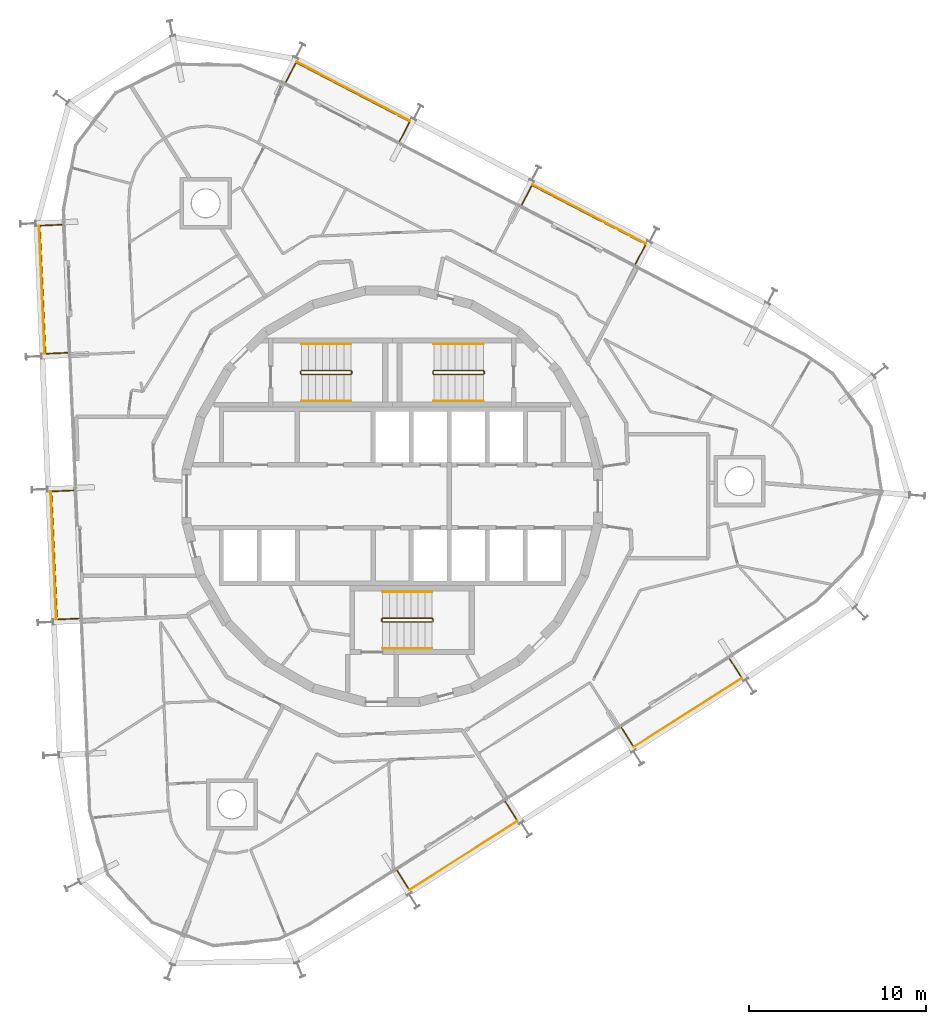
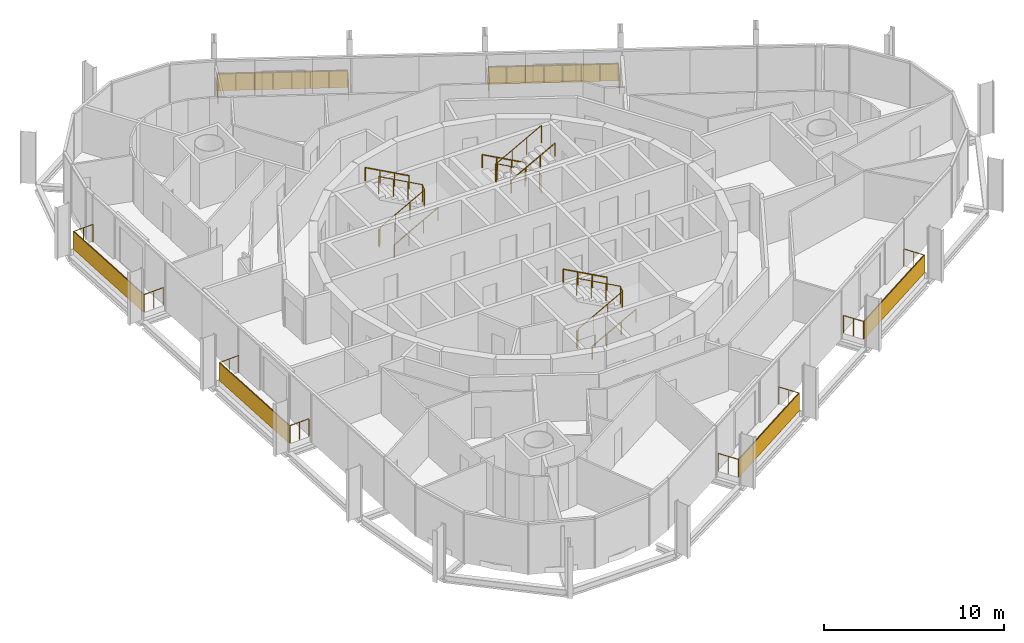
# One storey, part 18 of 18: 15 railings, 6 shading devices.
"""IFC4 building model written with IfcOpenShell, lengths in metres."""

from ifc_helpers import new_model, si_unit, direction, frame, origin, origin_2d, place, context, subcontext, project, spatial, rectangle, circle, extrude, material, layer, layer_set, type_object, element, save


model = new_model("IFC4")

# Units and contexts
model_context = context("Model", 3, precision=1e-05, world=origin(), true_north=direction((0.0, 1.0)))
body_context = subcontext(model_context, "Body", "Model", "MODEL_VIEW")
ifc_project = project(units=[si_unit("LENGTHUNIT", "METRE"), si_unit("AREAUNIT", "SQUARE_METRE"), si_unit("VOLUMEUNIT", "CUBIC_METRE"), si_unit("PLANEANGLEUNIT", "RADIAN"), si_unit("MASSUNIT", "GRAM", prefix="KILO")], contexts=[model_context])

# Site, building, storey
site_placement = place(None, origin())
site = spatial("IfcSite", under=ifc_project, at=site_placement, CompositionType="ELEMENT")
building_placement = place(site_placement, origin())
building = spatial("IfcBuilding", under=site, at=building_placement, Name="Spindle Arch Residences", CompositionType="ELEMENT")
storey_placement = place(building_placement, frame((0.0, 0.0, 233.699951171875)))
storey = spatial("IfcBuildingStorey", under=building, at=storey_placement, Name="L59", CompositionType="ELEMENT", Elevation=233.699951171875)

# Railings
ifc_material_1 = material(Name="Bronze anodised aluminium guard with glass infill", Category="aluminium")
railing_type_1 = type_object("IfcRailingType", Name="Balcony guard 1200", PredefinedType="GUARDRAIL", material=ifc_material_1)
railing_1_placement = place(storey_placement, frame((12.9736328125, -13.106201171875, 0.0)))
element("IfcRailing", 1, at=railing_1_placement, inside=storey, type_object=railing_type_1, Name="Guard L59 bay 1", PredefinedType="GUARDRAIL", context=body_context, shape_type="SweptSolid", body=[
    extrude(circle(Radius=0.02392578125, at=origin_2d()), frame((0.0, 0.0, 1.17578125), z_axis=(0.537317754526, -0.843379885148, 0.0), x_axis=(0.843379885148, 0.537317754526, 0.0)), (0.0, 0.0, 1.0), 1.25),
    extrude(circle(Radius=0.02392578125, at=origin_2d()), frame((0.671630859375, -1.05419921875, 1.17578125), z_axis=(0.843396919493, 0.537291016294, 0.0), x_axis=(-0.537291016294, 0.843396919493, 0.0)), (0.0, 0.0, 1.0), 7.26025390625),
    extrude(circle(Radius=0.02392578125, at=origin_2d()), frame((6.794921875, 2.8466796875, 1.17578125), z_axis=(-0.537317754526, 0.843379885148, 0.0), x_axis=(-0.843379885148, -0.537317754526, 0.0)), (0.0, 0.0, 1.0), 1.25),
    extrude(circle(Radius=0.02099609375, at=origin_2d()), origin(), (0.0, 0.0, 1.0), 1.15185546875),
    extrude(circle(Radius=0.02099609375, at=origin_2d()), frame((0.3359375, -0.527099609375, 0.0)), (0.0, 0.0, 1.0), 1.15185546875),
    extrude(circle(Radius=0.02099609375, at=origin_2d()), frame((0.671630859375, -1.05419921875, 0.0)), (0.0, 0.0, 1.0), 1.15185546875),
    extrude(circle(Radius=0.02099609375, at=origin_2d()), frame((1.54638671875, -0.496826171875, 0.0)), (0.0, 0.0, 1.0), 1.15185546875),
    extrude(circle(Radius=0.02099609375, at=origin_2d()), frame((2.421142578125, 0.060302734375, 0.0)), (0.0, 0.0, 1.0), 1.15185546875),
    extrude(circle(Radius=0.02099609375, at=origin_2d()), frame((3.2958984375, 0.61767578125, 0.0)), (0.0, 0.0, 1.0), 1.15185546875),
    extrude(circle(Radius=0.02099609375, at=origin_2d()), frame((4.170654296875, 1.1748046875, 0.0)), (0.0, 0.0, 1.0), 1.15185546875),
    extrude(circle(Radius=0.02099609375, at=origin_2d()), frame((5.04541015625, 1.732177734375, 0.0)), (0.0, 0.0, 1.0), 1.15185546875),
    extrude(circle(Radius=0.02099609375, at=origin_2d()), frame((5.920166015625, 2.289306640625, 0.0)), (0.0, 0.0, 1.0), 1.15185546875),
    extrude(circle(Radius=0.02099609375, at=origin_2d()), frame((6.794921875, 2.8466796875, 0.0)), (0.0, 0.0, 1.0), 1.15185546875),
    extrude(circle(Radius=0.02099609375, at=origin_2d()), frame((6.458984375, 3.373779296875, 0.0)), (0.0, 0.0, 1.0), 1.15185546875),
    extrude(circle(Radius=0.02099609375, at=origin_2d()), frame((6.123291015625, 3.90087890625, 0.0)), (0.0, 0.0, 1.0), 1.15185546875),
])
railing_2_placement = place(storey_placement, frame((13.76904296875, 13.152587890625, 0.0)))
element("IfcRailing", 2, at=railing_2_placement, inside=storey, type_object=railing_type_1, Name="Guard L59 bay 7", PredefinedType="GUARDRAIL", context=body_context, shape_type="SweptSolid", body=[
    extrude(circle(Radius=0.02392578125, at=origin_2d()), frame((0.0, 0.0, 1.17578125), z_axis=(0.461684760331, 0.887044069975, 0.0), x_axis=(-0.887044069975, 0.461684760331, 0.0)), (0.0, 0.0, 1.0), 1.25),
    extrude(circle(Radius=0.02392578125, at=origin_2d()), frame((0.5771484375, 1.10888671875, 1.17578125), z_axis=(-0.887010793131, 0.461748690165, 0.0), x_axis=(-0.461748690165, -0.887010793131, 0.0)), (0.0, 0.0, 1.0), 7.260009765625),
    extrude(circle(Radius=0.02392578125, at=origin_2d()), frame((-5.862548828125, 4.461181640625, 1.17578125), z_axis=(-0.461684760331, -0.887044069975, 0.0), x_axis=(0.887044069975, -0.461684760331, 0.0)), (0.0, 0.0, 1.0), 1.25),
    extrude(circle(Radius=0.02099609375, at=origin_2d()), origin(), (0.0, 0.0, 1.0), 1.15185546875),
    extrude(circle(Radius=0.02099609375, at=origin_2d()), frame((0.28857421875, 0.554443359375, 0.0)), (0.0, 0.0, 1.0), 1.15185546875),
    extrude(circle(Radius=0.02099609375, at=origin_2d()), frame((0.5771484375, 1.10888671875, 0.0)), (0.0, 0.0, 1.0), 1.15185546875),
    extrude(circle(Radius=0.02099609375, at=origin_2d()), frame((-0.3427734375, 1.587890625, 0.0)), (0.0, 0.0, 1.0), 1.15185546875),
    extrude(circle(Radius=0.02099609375, at=origin_2d()), frame((-1.2626953125, 2.066650390625, 0.0)), (0.0, 0.0, 1.0), 1.15185546875),
    extrude(circle(Radius=0.02099609375, at=origin_2d()), frame((-2.1826171875, 2.545654296875, 0.0)), (0.0, 0.0, 1.0), 1.15185546875),
    extrude(circle(Radius=0.02099609375, at=origin_2d()), frame((-3.102783203125, 3.0244140625, 0.0)), (0.0, 0.0, 1.0), 1.15185546875),
    extrude(circle(Radius=0.02099609375, at=origin_2d()), frame((-4.022705078125, 3.50341796875, 0.0)), (0.0, 0.0, 1.0), 1.15185546875),
    extrude(circle(Radius=0.02099609375, at=origin_2d()), frame((-4.942626953125, 3.982177734375, 0.0)), (0.0, 0.0, 1.0), 1.15185546875),
    extrude(circle(Radius=0.02099609375, at=origin_2d()), frame((-5.862548828125, 4.461181640625, 0.0)), (0.0, 0.0, 1.0), 1.15185546875),
    extrude(circle(Radius=0.02099609375, at=origin_2d()), frame((-6.151123046875, 3.90673828125, 0.0)), (0.0, 0.0, 1.0), 1.15185546875),
    extrude(circle(Radius=0.02099609375, at=origin_2d()), frame((-6.439697265625, 3.352294921875, 0.0)), (0.0, 0.0, 1.0), 1.15185546875),
])
railing_3_placement = place(storey_placement, frame((0.410400390625, 20.106689453125, 0.0)))
element("IfcRailing", 3, at=railing_3_placement, inside=storey, type_object=railing_type_1, Name="Guard L59 bay 9", PredefinedType="GUARDRAIL", context=body_context, shape_type="SweptSolid", body=[
    extrude(circle(Radius=0.02392578125, at=origin_2d()), frame((0.0, 0.0, 1.17578125), z_axis=(0.461918414855, 0.88692241939, 0.0), x_axis=(-0.88692241939, 0.461918414855, 0.0)), (0.0, 0.0, 1.0), 1.25),
    extrude(circle(Radius=0.02392578125, at=origin_2d()), frame((0.577392578125, 1.108642578125, 1.17578125), z_axis=(-0.887017962739, 0.461734917218, 0.0), x_axis=(-0.461734917218, -0.887017962739, 0.0)), (0.0, 0.0, 1.0), 7.26025390625),
    extrude(circle(Radius=0.02392578125, at=origin_2d()), frame((-5.862548828125, 4.4609375, 1.17578125), z_axis=(-0.461764753675, -0.887002430811, 0.0), x_axis=(0.887002430811, -0.461764753675, 0.0)), (0.0, 0.0, 1.0), 1.249755859375),
    extrude(circle(Radius=0.02099609375, at=origin_2d()), origin(), (0.0, 0.0, 1.0), 1.15185546875),
    extrude(circle(Radius=0.02099609375, at=origin_2d()), frame((0.28857421875, 0.55419921875, 0.0)), (0.0, 0.0, 1.0), 1.15185546875),
    extrude(circle(Radius=0.02099609375, at=origin_2d()), frame((0.577392578125, 1.108642578125, 0.0)), (0.0, 0.0, 1.0), 1.15185546875),
    extrude(circle(Radius=0.02099609375, at=origin_2d()), frame((-0.342529296875, 1.587646484375, 0.0)), (0.0, 0.0, 1.0), 1.15185546875),
    extrude(circle(Radius=0.02099609375, at=origin_2d()), frame((-1.2626953125, 2.06640625, 0.0)), (0.0, 0.0, 1.0), 1.15185546875),
    extrude(circle(Radius=0.02099609375, at=origin_2d()), frame((-2.1826171875, 2.54541015625, 0.0)), (0.0, 0.0, 1.0), 1.15185546875),
    extrude(circle(Radius=0.02099609375, at=origin_2d()), frame((-3.1025390625, 3.024169921875, 0.0)), (0.0, 0.0, 1.0), 1.15185546875),
    extrude(circle(Radius=0.02099609375, at=origin_2d()), frame((-4.0224609375, 3.503173828125, 0.0)), (0.0, 0.0, 1.0), 1.15185546875),
    extrude(circle(Radius=0.02099609375, at=origin_2d()), frame((-4.942626953125, 3.98193359375, 0.0)), (0.0, 0.0, 1.0), 1.15185546875),
    extrude(circle(Radius=0.02099609375, at=origin_2d()), frame((-5.862548828125, 4.4609375, 0.0)), (0.0, 0.0, 1.0), 1.15185546875),
    extrude(circle(Radius=0.02099609375, at=origin_2d()), frame((-6.151123046875, 3.90673828125, 0.0)), (0.0, 0.0, 1.0), 1.15185546875),
    extrude(circle(Radius=0.02099609375, at=origin_2d()), frame((-6.439697265625, 3.352294921875, 0.0)), (0.0, 0.0, 1.0), 1.15185546875),
])
railing_4_placement = place(storey_placement, frame((-18.712890625, 15.378662109375, 0.0)))
element("IfcRailing", 4, at=railing_4_placement, inside=storey, type_object=railing_type_1, Name="Guard L59 bay 13", PredefinedType="GUARDRAIL", context=body_context, shape_type="SweptSolid", body=[
    extrude(circle(Radius=0.02392578125, at=origin_2d()), frame((0.0, 0.0, 1.17578125), z_axis=(-0.999042473849, -0.043750833654, 0.0), x_axis=(0.043750833654, -0.999042473849, 0.0)), (0.0, 0.0, 1.0), 1.25),
    extrude(circle(Radius=0.02392578125, at=origin_2d()), frame((-1.248779296875, -0.0546875, 1.17578125), z_axis=(0.043615260597, -0.999048401752, 0.0), x_axis=(0.999048401752, 0.043615260597, 0.0)), (0.0, 0.0, 1.0), 7.260009765625),
    extrude(circle(Radius=0.02392578125, at=origin_2d()), frame((-0.93212890625, -7.307861328125, 1.17578125), z_axis=(0.999042473849, 0.043750833654, 0.0), x_axis=(-0.043750833654, 0.999042473849, 0.0)), (0.0, 0.0, 1.0), 1.25),
    extrude(circle(Radius=0.02099609375, at=origin_2d()), origin(), (0.0, 0.0, 1.0), 1.15185546875),
    extrude(circle(Radius=0.02099609375, at=origin_2d()), frame((-0.62451171875, -0.02734375, 0.0)), (0.0, 0.0, 1.0), 1.15185546875),
    extrude(circle(Radius=0.02099609375, at=origin_2d()), frame((-1.248779296875, -0.0546875, 0.0)), (0.0, 0.0, 1.0), 1.15185546875),
    extrude(circle(Radius=0.02099609375, at=origin_2d()), frame((-1.20361328125, -1.0908203125, 0.0)), (0.0, 0.0, 1.0), 1.15185546875),
    extrude(circle(Radius=0.02099609375, at=origin_2d()), frame((-1.158203125, -2.126953125, 0.0)), (0.0, 0.0, 1.0), 1.15185546875),
    extrude(circle(Radius=0.02099609375, at=origin_2d()), frame((-1.113037109375, -3.1630859375, 0.0)), (0.0, 0.0, 1.0), 1.15185546875),
    extrude(circle(Radius=0.02099609375, at=origin_2d()), frame((-1.06787109375, -4.199462890625, 0.0)), (0.0, 0.0, 1.0), 1.15185546875),
    extrude(circle(Radius=0.02099609375, at=origin_2d()), frame((-1.022705078125, -5.235595703125, 0.0)), (0.0, 0.0, 1.0), 1.15185546875),
    extrude(circle(Radius=0.02099609375, at=origin_2d()), frame((-0.977294921875, -6.271728515625, 0.0)), (0.0, 0.0, 1.0), 1.15185546875),
    extrude(circle(Radius=0.02099609375, at=origin_2d()), frame((-0.93212890625, -7.307861328125, 0.0)), (0.0, 0.0, 1.0), 1.15185546875),
    extrude(circle(Radius=0.02099609375, at=origin_2d()), frame((-0.3076171875, -7.280517578125, 0.0)), (0.0, 0.0, 1.0), 1.15185546875),
    extrude(circle(Radius=0.02099609375, at=origin_2d()), frame((0.316650390625, -7.253173828125, 0.0)), (0.0, 0.0, 1.0), 1.15185546875),
])
railing_5_placement = place(storey_placement, frame((-18.05615234375, 0.332763671875, 0.0)))
element("IfcRailing", 5, at=railing_5_placement, inside=storey, type_object=railing_type_1, Name="Guard L59 bay 15", PredefinedType="GUARDRAIL", context=body_context, shape_type="SweptSolid", body=[
    extrude(circle(Radius=0.02392578125, at=origin_2d()), frame((0.0, 0.0, 1.17578125), z_axis=(-0.999050991967, -0.043555888799, 0.0), x_axis=(0.043555888799, -0.999050991967, 0.0)), (0.0, 0.0, 1.0), 1.25),
    extrude(circle(Radius=0.02392578125, at=origin_2d()), frame((-1.248779296875, -0.054443359375, 1.17578125), z_axis=(0.043615260597, -0.999048401752, 0.0), x_axis=(0.999048401752, 0.043615260597, 0.0)), (0.0, 0.0, 1.0), 7.260009765625),
    extrude(circle(Radius=0.02392578125, at=origin_2d()), frame((-0.93212890625, -7.3076171875, 1.17578125), z_axis=(0.999051362399, 0.043547391285, 0.0), x_axis=(-0.043547391285, 0.999051362399, 0.0)), (0.0, 0.0, 1.0), 1.250244140625),
    extrude(circle(Radius=0.02099609375, at=origin_2d()), origin(), (0.0, 0.0, 1.0), 1.15185546875),
    extrude(circle(Radius=0.02099609375, at=origin_2d()), frame((-0.62451171875, -0.02734375, 0.0)), (0.0, 0.0, 1.0), 1.15185546875),
    extrude(circle(Radius=0.02099609375, at=origin_2d()), frame((-1.248779296875, -0.054443359375, 0.0)), (0.0, 0.0, 1.0), 1.15185546875),
    extrude(circle(Radius=0.02099609375, at=origin_2d()), frame((-1.20361328125, -1.090576171875, 0.0)), (0.0, 0.0, 1.0), 1.15185546875),
    extrude(circle(Radius=0.02099609375, at=origin_2d()), frame((-1.158203125, -2.126708984375, 0.0)), (0.0, 0.0, 1.0), 1.15185546875),
    extrude(circle(Radius=0.02099609375, at=origin_2d()), frame((-1.113037109375, -3.162841796875, 0.0)), (0.0, 0.0, 1.0), 1.15185546875),
    extrude(circle(Radius=0.02099609375, at=origin_2d()), frame((-1.06787109375, -4.19921875, 0.0)), (0.0, 0.0, 1.0), 1.15185546875),
    extrude(circle(Radius=0.02099609375, at=origin_2d()), frame((-1.022705078125, -5.2353515625, 0.0)), (0.0, 0.0, 1.0), 1.15185546875),
    extrude(circle(Radius=0.02099609375, at=origin_2d()), frame((-0.977294921875, -6.271484375, 0.0)), (0.0, 0.0, 1.0), 1.15185546875),
    extrude(circle(Radius=0.02099609375, at=origin_2d()), frame((-0.93212890625, -7.3076171875, 0.0)), (0.0, 0.0, 1.0), 1.15185546875),
    extrude(circle(Radius=0.02099609375, at=origin_2d()), frame((-0.3076171875, -7.2802734375, 0.0)), (0.0, 0.0, 1.0), 1.15185546875),
    extrude(circle(Radius=0.02099609375, at=origin_2d()), frame((0.31689453125, -7.253173828125, 0.0)), (0.0, 0.0, 1.0), 1.15185546875),
])
railing_6_placement = place(storey_placement, frame((0.272216796875, -21.197998046875, 0.0)))
element("IfcRailing", 6, at=railing_6_placement, inside=storey, type_object=railing_type_1, Name="Guard L59 bay 21", PredefinedType="GUARDRAIL", context=body_context, shape_type="SweptSolid", body=[
    extrude(circle(Radius=0.02392578125, at=origin_2d()), frame((0.0, 0.0, 1.17578125), z_axis=(0.537317754526, -0.843379885148, 0.0), x_axis=(0.843379885148, 0.537317754526, 0.0)), (0.0, 0.0, 1.0), 1.25),
    extrude(circle(Radius=0.02392578125, at=origin_2d()), frame((0.671630859375, -1.05419921875, 1.17578125), z_axis=(0.843387211604, 0.537306254665, 0.0), x_axis=(-0.537306254665, 0.843387211604, 0.0)), (0.0, 0.0, 1.0), 7.260009765625),
    extrude(circle(Radius=0.02392578125, at=origin_2d()), frame((6.794677734375, 2.8466796875, 1.17578125), z_axis=(-0.537317754526, 0.843379885148, 0.0), x_axis=(-0.843379885148, -0.537317754526, 0.0)), (0.0, 0.0, 1.0), 1.25),
    extrude(circle(Radius=0.02099609375, at=origin_2d()), origin(), (0.0, 0.0, 1.0), 1.15185546875),
    extrude(circle(Radius=0.02099609375, at=origin_2d()), frame((0.3359375, -0.527099609375, 0.0)), (0.0, 0.0, 1.0), 1.15185546875),
    extrude(circle(Radius=0.02099609375, at=origin_2d()), frame((0.671630859375, -1.05419921875, 0.0)), (0.0, 0.0, 1.0), 1.15185546875),
    extrude(circle(Radius=0.02099609375, at=origin_2d()), frame((1.54638671875, -0.496826171875, 0.0)), (0.0, 0.0, 1.0), 1.15185546875),
    extrude(circle(Radius=0.02099609375, at=origin_2d()), frame((2.421142578125, 0.060302734375, 0.0)), (0.0, 0.0, 1.0), 1.15185546875),
    extrude(circle(Radius=0.02099609375, at=origin_2d()), frame((3.2958984375, 0.61767578125, 0.0)), (0.0, 0.0, 1.0), 1.15185546875),
    extrude(circle(Radius=0.02099609375, at=origin_2d()), frame((4.17041015625, 1.1748046875, 0.0)), (0.0, 0.0, 1.0), 1.15185546875),
    extrude(circle(Radius=0.02099609375, at=origin_2d()), frame((5.045166015625, 1.732177734375, 0.0)), (0.0, 0.0, 1.0), 1.15185546875),
    extrude(circle(Radius=0.02099609375, at=origin_2d()), frame((5.919921875, 2.289306640625, 0.0)), (0.0, 0.0, 1.0), 1.15185546875),
    extrude(circle(Radius=0.02099609375, at=origin_2d()), frame((6.794677734375, 2.8466796875, 0.0)), (0.0, 0.0, 1.0), 1.15185546875),
    extrude(circle(Radius=0.02099609375, at=origin_2d()), frame((6.458984375, 3.373779296875, 0.0)), (0.0, 0.0, 1.0), 1.15185546875),
    extrude(circle(Radius=0.02099609375, at=origin_2d()), frame((6.123046875, 3.90087890625, 0.0)), (0.0, 0.0, 1.0), 1.15185546875),
])

# Shading devices
ifc_material_2 = material(Name="Bronze perforated cobogo screen")
ifc_layer = layer(ifc_material_2, 0.0390625)
ifc_layer_set = layer_set([ifc_layer], Name="Cobogo screen 1200")
shading_device_type = type_object("IfcShadingDeviceType", Name="Cobogo screen 1200", PredefinedType="USERDEFINED", material=ifc_layer_set)
for number, where, z_axis, x_axis, name in (
    (7, (16.728759765625, -12.244140625, 0.0), (0.0, 0.0, 1.0), (0.843391445813, 0.537299608347, 0.0), "Cobogo screen L59 bay 1"),
    (8, (11.14501953125, 15.973388671875, 0.0), (0.0, 0.0, 1.0), (-0.887010833178, 0.461748613235, 0.0), "Cobogo screen L59 bay 7"),
    (9, (-2.21337890625, 22.927490234375, 0.0), (0.0, 0.0, 1.0), (-0.887010833178, 0.461748613235, 0.0), "Cobogo screen L59 bay 9"),
    (10, (-19.843994140625, 11.69580078125, 0.0), (0.0, 0.0, 1.0), (0.043619387365, -0.999048221582, 0.0), "Cobogo screen L59 bay 13"),
    (11, (-19.18701171875, -3.35009765625, 0.0), (0.0, 0.0, 1.0), (0.043619387365, -0.999048221582, 0.0), "Cobogo screen L59 bay 15"),
    (12, (4.027099609375, -20.3359375, 0.0), (0.0, 0.0, 1.0), (0.843391445813, 0.537299608347, 0.0), "Cobogo screen L59 bay 21"),
):
    element("IfcShadingDevice", number, at=place(storey_placement, frame(where, z_axis=z_axis, x_axis=x_axis)), inside=storey, type_object=shading_device_type, Name=name, ObjectType="SCREEN", PredefinedType="USERDEFINED", context=body_context, shape_type="SweptSolid", body=[
        extrude(rectangle(XDim=7.260009765625, YDim=0.0390625, at=origin_2d()), origin(), (0.0, 0.0, 1.0), 1.199951171875),
    ])

# Railings
ifc_material_3 = material(Name="Steel, painted", Category="steel")
railing_type_2 = type_object("IfcRailingType", Name="Stair guard 1100", PredefinedType="GUARDRAIL", material=ifc_material_3)
railing_7_placement = place(storey_placement, frame((5.14990234375, 6.89990234375, 3.5)))
element("IfcRailing", 13, at=railing_7_placement, inside=storey, type_object=railing_type_2, Name="L59 ST1 stair guard 1", PredefinedType="GUARDRAIL", context=body_context, shape_type="SweptSolid", body=[
    extrude(circle(Radius=0.02392578125, at=origin_2d()), frame((0.0, 0.0, 1.17578125), z_axis=(-0.877357048833, 0.0, -0.479838106931), x_axis=(0.0, -1.0, 0.0)), (0.0, 0.0, 1.0), 3.191162109375),
    extrude(circle(Radius=0.02392578125, at=origin_2d()), frame((-2.7998046875, 0.0, -0.35546875), z_axis=(-0.217683172539, 0.217683172539, -0.951434744366), x_axis=(-0.707106781187, -0.707106781187, 0.0)), (0.0, 0.0, 1.0), 0.22998046875),
    extrude(circle(Radius=0.02392578125, at=origin_2d()), frame((-2.849853515625, 0.050048828125, -0.57421875), z_axis=(0.0, 1.0, 0.0), x_axis=(-1.0, 0.0, 0.0)), (0.0, 0.0, 1.0), 0.1201171875),
    extrude(circle(Radius=0.02392578125, at=origin_2d()), frame((-2.849853515625, 0.170166015625, -0.57421875), z_axis=(0.707106781187, 0.707106781187, 0.0), x_axis=(-0.707106781187, 0.707106781187, 0.0)), (0.0, 0.0, 1.0), 0.07080078125),
    extrude(circle(Radius=0.02392578125, at=origin_2d()), frame((-2.7998046875, 0.22021484375, -0.57421875), z_axis=(0.877357048833, 0.0, -0.479838106931), x_axis=(0.0, 1.0, 0.0)), (0.0, 0.0, 1.0), 3.191162109375),
    extrude(circle(Radius=0.02392578125, at=origin_2d()), frame((0.0, 0.22021484375, -2.10546875), z_axis=(0.217683172539, -0.217683172539, -0.951434744366), x_axis=(0.707106781187, 0.707106781187, 0.0)), (0.0, 0.0, 1.0), 0.22998046875),
    extrude(circle(Radius=0.02392578125, at=origin_2d()), frame((0.050048828125, 0.170166015625, -2.32421875), z_axis=(0.0, -1.0, 0.0), x_axis=(1.0, 0.0, 0.0)), (0.0, 0.0, 1.0), 0.1201171875),
    extrude(circle(Radius=0.02099609375, at=origin_2d()), origin(), (0.0, 0.0, 1.0), 1.15185546875),
    extrude(circle(Radius=0.02099609375, at=origin_2d()), frame((-0.933349609375, 0.0, -0.510498046875)), (0.0, 0.0, 1.0), 1.15185546875),
    extrude(circle(Radius=0.02099609375, at=origin_2d()), frame((-1.866455078125, 0.0, -1.020751953125)), (0.0, 0.0, 1.0), 1.15185546875),
    extrude(circle(Radius=0.02099609375, at=origin_2d()), frame((-2.7998046875, 0.0, -1.53125)), (0.0, 0.0, 1.0), 1.15185546875),
    extrude(circle(Radius=0.02099609375, at=origin_2d()), frame((-2.849853515625, 0.050048828125, -1.75)), (0.0, 0.0, 1.0), 1.15185546875),
    extrude(circle(Radius=0.02099609375, at=origin_2d()), frame((-2.849853515625, 0.170166015625, -1.75)), (0.0, 0.0, 1.0), 1.15185546875),
    extrude(circle(Radius=0.02099609375, at=origin_2d()), frame((-2.7998046875, 0.22021484375, -1.75)), (0.0, 0.0, 1.0), 1.15185546875),
    extrude(circle(Radius=0.02099609375, at=origin_2d()), frame((-1.866455078125, 0.22021484375, -2.260498046875)), (0.0, 0.0, 1.0), 1.15185546875),
    extrude(circle(Radius=0.02099609375, at=origin_2d()), frame((-0.933349609375, 0.22021484375, -2.770751953125)), (0.0, 0.0, 1.0), 1.15185546875),
    extrude(circle(Radius=0.02099609375, at=origin_2d()), frame((0.0, 0.22021484375, -3.28125)), (0.0, 0.0, 1.0), 1.15185546875),
    extrude(circle(Radius=0.02099609375, at=origin_2d()), frame((0.050048828125, 0.170166015625, -3.5)), (0.0, 0.0, 1.0), 1.15185546875),
    extrude(circle(Radius=0.02099609375, at=origin_2d()), frame((0.050048828125, 0.050048828125, -3.5)), (0.0, 0.0, 1.0), 1.15185546875),
])
railing_8_placement = place(storey_placement, frame((-5.14990234375, 7.1201171875, 3.5)))
element("IfcRailing", 14, at=railing_8_placement, inside=storey, type_object=railing_type_2, Name="L59 ST2 stair guard 1", PredefinedType="GUARDRAIL", context=body_context, shape_type="SweptSolid", body=[
    extrude(circle(Radius=0.02392578125, at=origin_2d()), frame((0.0, 0.0, 1.17578125), z_axis=(0.877357048833, 0.0, -0.479838106931), x_axis=(0.0, 1.0, 0.0)), (0.0, 0.0, 1.0), 3.191162109375),
    extrude(circle(Radius=0.02392578125, at=origin_2d()), frame((2.7998046875, 0.0, -0.35546875), z_axis=(0.217683172539, -0.217683172539, -0.951434744366), x_axis=(0.707106781187, 0.707106781187, 0.0)), (0.0, 0.0, 1.0), 0.22998046875),
    extrude(circle(Radius=0.02392578125, at=origin_2d()), frame((2.849853515625, -0.050048828125, -0.57421875), z_axis=(0.0, -1.0, 0.0), x_axis=(1.0, 0.0, 0.0)), (0.0, 0.0, 1.0), 0.1201171875),
    extrude(circle(Radius=0.02392578125, at=origin_2d()), frame((2.849853515625, -0.170166015625, -0.57421875), z_axis=(-0.707106781187, -0.707106781187, 0.0), x_axis=(0.707106781187, -0.707106781187, 0.0)), (0.0, 0.0, 1.0), 0.07080078125),
    extrude(circle(Radius=0.02392578125, at=origin_2d()), frame((2.7998046875, -0.22021484375, -0.57421875), z_axis=(-0.877357048833, 0.0, -0.479838106931), x_axis=(0.0, -1.0, 0.0)), (0.0, 0.0, 1.0), 3.191162109375),
    extrude(circle(Radius=0.02392578125, at=origin_2d()), frame((0.0, -0.22021484375, -2.10546875), z_axis=(-0.217683172539, 0.217683172539, -0.951434744366), x_axis=(-0.707106781187, -0.707106781187, 0.0)), (0.0, 0.0, 1.0), 0.22998046875),
    extrude(circle(Radius=0.02392578125, at=origin_2d()), frame((-0.050048828125, -0.170166015625, -2.32421875), z_axis=(0.0, 1.0, 0.0), x_axis=(-1.0, 0.0, 0.0)), (0.0, 0.0, 1.0), 0.1201171875),
    extrude(circle(Radius=0.02099609375, at=origin_2d()), origin(), (0.0, 0.0, 1.0), 1.15185546875),
    extrude(circle(Radius=0.02099609375, at=origin_2d()), frame((0.933349609375, 0.0, -0.510498046875)), (0.0, 0.0, 1.0), 1.15185546875),
    extrude(circle(Radius=0.02099609375, at=origin_2d()), frame((1.866455078125, 0.0, -1.020751953125)), (0.0, 0.0, 1.0), 1.15185546875),
    extrude(circle(Radius=0.02099609375, at=origin_2d()), frame((2.7998046875, 0.0, -1.53125)), (0.0, 0.0, 1.0), 1.15185546875),
    extrude(circle(Radius=0.02099609375, at=origin_2d()), frame((2.849853515625, -0.050048828125, -1.75)), (0.0, 0.0, 1.0), 1.15185546875),
    extrude(circle(Radius=0.02099609375, at=origin_2d()), frame((2.849853515625, -0.170166015625, -1.75)), (0.0, 0.0, 1.0), 1.15185546875),
    extrude(circle(Radius=0.02099609375, at=origin_2d()), frame((2.7998046875, -0.22021484375, -1.75)), (0.0, 0.0, 1.0), 1.15185546875),
    extrude(circle(Radius=0.02099609375, at=origin_2d()), frame((1.866455078125, -0.22021484375, -2.260498046875)), (0.0, 0.0, 1.0), 1.15185546875),
    extrude(circle(Radius=0.02099609375, at=origin_2d()), frame((0.933349609375, -0.22021484375, -2.770751953125)), (0.0, 0.0, 1.0), 1.15185546875),
    extrude(circle(Radius=0.02099609375, at=origin_2d()), frame((0.0, -0.22021484375, -3.28125)), (0.0, 0.0, 1.0), 1.15185546875),
    extrude(circle(Radius=0.02099609375, at=origin_2d()), frame((-0.050048828125, -0.170166015625, -3.5)), (0.0, 0.0, 1.0), 1.15185546875),
    extrude(circle(Radius=0.02099609375, at=origin_2d()), frame((-0.050048828125, -0.050048828125, -3.5)), (0.0, 0.0, 1.0), 1.15185546875),
])
railing_9_placement = place(storey_placement, frame((-0.550048828125, -6.89990234375, 3.5)))
element("IfcRailing", 15, at=railing_9_placement, inside=storey, type_object=railing_type_2, Name="L59 ST3 stair guard 1", PredefinedType="GUARDRAIL", context=body_context, shape_type="SweptSolid", body=[
    extrude(circle(Radius=0.02392578125, at=origin_2d()), frame((0.0, 0.0, 1.17578125), z_axis=(0.877374661878, 0.0, -0.479805901063), x_axis=(0.0, 1.0, 0.0)), (0.0, 0.0, 1.0), 3.19140625),
    extrude(circle(Radius=0.02392578125, at=origin_2d()), frame((2.800048828125, 0.0, -0.35546875), z_axis=(0.217683172539, -0.217683172539, -0.951434744366), x_axis=(0.707106781187, 0.707106781187, 0.0)), (0.0, 0.0, 1.0), 0.22998046875),
    extrude(circle(Radius=0.02392578125, at=origin_2d()), frame((2.85009765625, -0.050048828125, -0.57421875), z_axis=(0.0, -1.0, 0.0), x_axis=(1.0, 0.0, 0.0)), (0.0, 0.0, 1.0), 0.1201171875),
    extrude(circle(Radius=0.02392578125, at=origin_2d()), frame((2.85009765625, -0.170166015625, -0.57421875), z_axis=(-0.707106781187, -0.707106781187, 0.0), x_axis=(0.707106781187, -0.707106781187, 0.0)), (0.0, 0.0, 1.0), 0.07080078125),
    extrude(circle(Radius=0.02392578125, at=origin_2d()), frame((2.800048828125, -0.22021484375, -0.57421875), z_axis=(-0.877374661878, 0.0, -0.479805901063), x_axis=(0.0, -1.0, 0.0)), (0.0, 0.0, 1.0), 3.19140625),
    extrude(circle(Radius=0.02392578125, at=origin_2d()), frame((0.0, -0.22021484375, -2.10546875), z_axis=(-0.217683172539, 0.217683172539, -0.951434744366), x_axis=(-0.707106781187, -0.707106781187, 0.0)), (0.0, 0.0, 1.0), 0.22998046875),
    extrude(circle(Radius=0.02392578125, at=origin_2d()), frame((-0.050048828125, -0.170166015625, -2.32421875), z_axis=(0.0, 1.0, 0.0), x_axis=(-1.0, 0.0, 0.0)), (0.0, 0.0, 1.0), 0.1201171875),
    extrude(circle(Radius=0.02099609375, at=origin_2d()), origin(), (0.0, 0.0, 1.0), 1.15185546875),
    extrude(circle(Radius=0.02099609375, at=origin_2d()), frame((0.933349609375, 0.0, -0.510498046875)), (0.0, 0.0, 1.0), 1.15185546875),
    extrude(circle(Radius=0.02099609375, at=origin_2d()), frame((1.86669921875, 0.0, -1.020751953125)), (0.0, 0.0, 1.0), 1.15185546875),
    extrude(circle(Radius=0.02099609375, at=origin_2d()), frame((2.800048828125, 0.0, -1.53125)), (0.0, 0.0, 1.0), 1.15185546875),
    extrude(circle(Radius=0.02099609375, at=origin_2d()), frame((2.85009765625, -0.050048828125, -1.75)), (0.0, 0.0, 1.0), 1.15185546875),
    extrude(circle(Radius=0.02099609375, at=origin_2d()), frame((2.85009765625, -0.170166015625, -1.75)), (0.0, 0.0, 1.0), 1.15185546875),
    extrude(circle(Radius=0.02099609375, at=origin_2d()), frame((2.800048828125, -0.22021484375, -1.75)), (0.0, 0.0, 1.0), 1.15185546875),
    extrude(circle(Radius=0.02099609375, at=origin_2d()), frame((1.86669921875, -0.22021484375, -2.260498046875)), (0.0, 0.0, 1.0), 1.15185546875),
    extrude(circle(Radius=0.02099609375, at=origin_2d()), frame((0.933349609375, -0.22021484375, -2.770751953125)), (0.0, 0.0, 1.0), 1.15185546875),
    extrude(circle(Radius=0.02099609375, at=origin_2d()), frame((0.0, -0.22021484375, -3.28125)), (0.0, 0.0, 1.0), 1.15185546875),
    extrude(circle(Radius=0.02099609375, at=origin_2d()), frame((-0.050048828125, -0.170166015625, -3.5)), (0.0, 0.0, 1.0), 1.15185546875),
    extrude(circle(Radius=0.02099609375, at=origin_2d()), frame((-0.050048828125, -0.050048828125, -3.5)), (0.0, 0.0, 1.0), 1.15185546875),
])
ifc_material_4 = material(Name="Steel, painted", Category="steel")
railing_type_3 = type_object("IfcRailingType", Name="Stair handrail 900", PredefinedType="HANDRAIL", material=ifc_material_4)
railing_10_placement = place(storey_placement, frame((5.14990234375, 8.6201171875, 0.21875)))
element("IfcRailing", 16, at=railing_10_placement, inside=storey, type_object=railing_type_3, Name="L59 ST1 stair handrail 1", PredefinedType="HANDRAIL", context=body_context, shape_type="SweptSolid", body=[
    extrude(circle(Radius=0.02392578125, at=origin_2d()), frame((0.0, 0.0, 0.8759765625), z_axis=(-0.877357048833, 0.0, 0.479838106931), x_axis=(0.0, -1.0, 0.0)), (0.0, 0.0, 1.0), 3.191162109375),
    extrude(circle(Radius=0.02099609375, at=origin_2d()), origin(), (0.0, 0.0, 1.0), 0.851806640625),
    extrude(circle(Radius=0.02099609375, at=origin_2d()), frame((-0.933349609375, 0.0, 0.510498046875)), (0.0, 0.0, 1.0), 0.851806640625),
    extrude(circle(Radius=0.02099609375, at=origin_2d()), frame((-1.866455078125, 0.0, 1.020751953125)), (0.0, 0.0, 1.0), 0.851806640625),
    extrude(circle(Radius=0.02099609375, at=origin_2d()), frame((-2.7998046875, 0.0, 1.53125)), (0.0, 0.0, 1.0), 0.851806640625),
])
for number, where, name in (
    (17, (2.35009765625, 5.39990234375, 1.96875), "L59 ST1 stair handrail 2"),
    (18, (-5.14990234375, 5.39990234375, 0.21875), "L59 ST2 stair handrail 1"),
):
    element("IfcRailing", number, at=place(storey_placement, frame(where)), inside=storey, type_object=railing_type_3, Name=name, PredefinedType="HANDRAIL", context=body_context, shape_type="SweptSolid", body=[
        extrude(circle(Radius=0.02392578125, at=origin_2d()), frame((0.0, 0.0, 0.8759765625), z_axis=(0.877357048833, 0.0, 0.479838106931), x_axis=(0.0, 1.0, 0.0)), (0.0, 0.0, 1.0), 3.191162109375),
        extrude(circle(Radius=0.02099609375, at=origin_2d()), origin(), (0.0, 0.0, 1.0), 0.851806640625),
        extrude(circle(Radius=0.02099609375, at=origin_2d()), frame((0.933349609375, 0.0, 0.510498046875)), (0.0, 0.0, 1.0), 0.851806640625),
        extrude(circle(Radius=0.02099609375, at=origin_2d()), frame((1.866455078125, 0.0, 1.020751953125)), (0.0, 0.0, 1.0), 0.851806640625),
        extrude(circle(Radius=0.02099609375, at=origin_2d()), frame((2.7998046875, 0.0, 1.53125)), (0.0, 0.0, 1.0), 0.851806640625),
    ])
railing_11_placement = place(storey_placement, frame((-2.35009765625, 8.6201171875, 1.96875)))
element("IfcRailing", 19, at=railing_11_placement, inside=storey, type_object=railing_type_3, Name="L59 ST2 stair handrail 2", PredefinedType="HANDRAIL", context=body_context, shape_type="SweptSolid", body=[
    extrude(circle(Radius=0.02392578125, at=origin_2d()), frame((0.0, 0.0, 0.8759765625), z_axis=(-0.877357048833, 0.0, 0.479838106931), x_axis=(0.0, -1.0, 0.0)), (0.0, 0.0, 1.0), 3.191162109375),
    extrude(circle(Radius=0.02099609375, at=origin_2d()), origin(), (0.0, 0.0, 1.0), 0.851806640625),
    extrude(circle(Radius=0.02099609375, at=origin_2d()), frame((-0.933349609375, 0.0, 0.510498046875)), (0.0, 0.0, 1.0), 0.851806640625),
    extrude(circle(Radius=0.02099609375, at=origin_2d()), frame((-1.866455078125, 0.0, 1.020751953125)), (0.0, 0.0, 1.0), 0.851806640625),
    extrude(circle(Radius=0.02099609375, at=origin_2d()), frame((-2.7998046875, 0.0, 1.53125)), (0.0, 0.0, 1.0), 0.851806640625),
])
railing_12_placement = place(storey_placement, frame((-0.550048828125, -8.6201171875, 0.21875)))
element("IfcRailing", 20, at=railing_12_placement, inside=storey, type_object=railing_type_3, Name="L59 ST3 stair handrail 1", PredefinedType="HANDRAIL", context=body_context, shape_type="SweptSolid", body=[
    extrude(circle(Radius=0.02392578125, at=origin_2d()), frame((0.0, 0.0, 0.8759765625), z_axis=(0.877374661878, 0.0, 0.479805901063), x_axis=(0.0, 1.0, 0.0)), (0.0, 0.0, 1.0), 3.19140625),
    extrude(circle(Radius=0.02099609375, at=origin_2d()), origin(), (0.0, 0.0, 1.0), 0.851806640625),
    extrude(circle(Radius=0.02099609375, at=origin_2d()), frame((0.933349609375, 0.0, 0.510498046875)), (0.0, 0.0, 1.0), 0.851806640625),
    extrude(circle(Radius=0.02099609375, at=origin_2d()), frame((1.86669921875, 0.0, 1.020751953125)), (0.0, 0.0, 1.0), 0.851806640625),
    extrude(circle(Radius=0.02099609375, at=origin_2d()), frame((2.800048828125, 0.0, 1.53125)), (0.0, 0.0, 1.0), 0.851806640625),
])
railing_13_placement = place(storey_placement, frame((2.25, -5.39990234375, 1.96875)))
element("IfcRailing", 21, at=railing_13_placement, inside=storey, type_object=railing_type_3, Name="L59 ST3 stair handrail 2", PredefinedType="HANDRAIL", context=body_context, shape_type="SweptSolid", body=[
    extrude(circle(Radius=0.02392578125, at=origin_2d()), frame((0.0, 0.0, 0.8759765625), z_axis=(-0.877374661878, 0.0, 0.479805901063), x_axis=(0.0, -1.0, 0.0)), (0.0, 0.0, 1.0), 3.19140625),
    extrude(circle(Radius=0.02099609375, at=origin_2d()), origin(), (0.0, 0.0, 1.0), 0.851806640625),
    extrude(circle(Radius=0.02099609375, at=origin_2d()), frame((-0.933349609375, 0.0, 0.510498046875)), (0.0, 0.0, 1.0), 0.851806640625),
    extrude(circle(Radius=0.02099609375, at=origin_2d()), frame((-1.86669921875, 0.0, 1.020751953125)), (0.0, 0.0, 1.0), 0.851806640625),
    extrude(circle(Radius=0.02099609375, at=origin_2d()), frame((-2.800048828125, 0.0, 1.53125)), (0.0, 0.0, 1.0), 0.851806640625),
])

save(model, "model.ifc")
